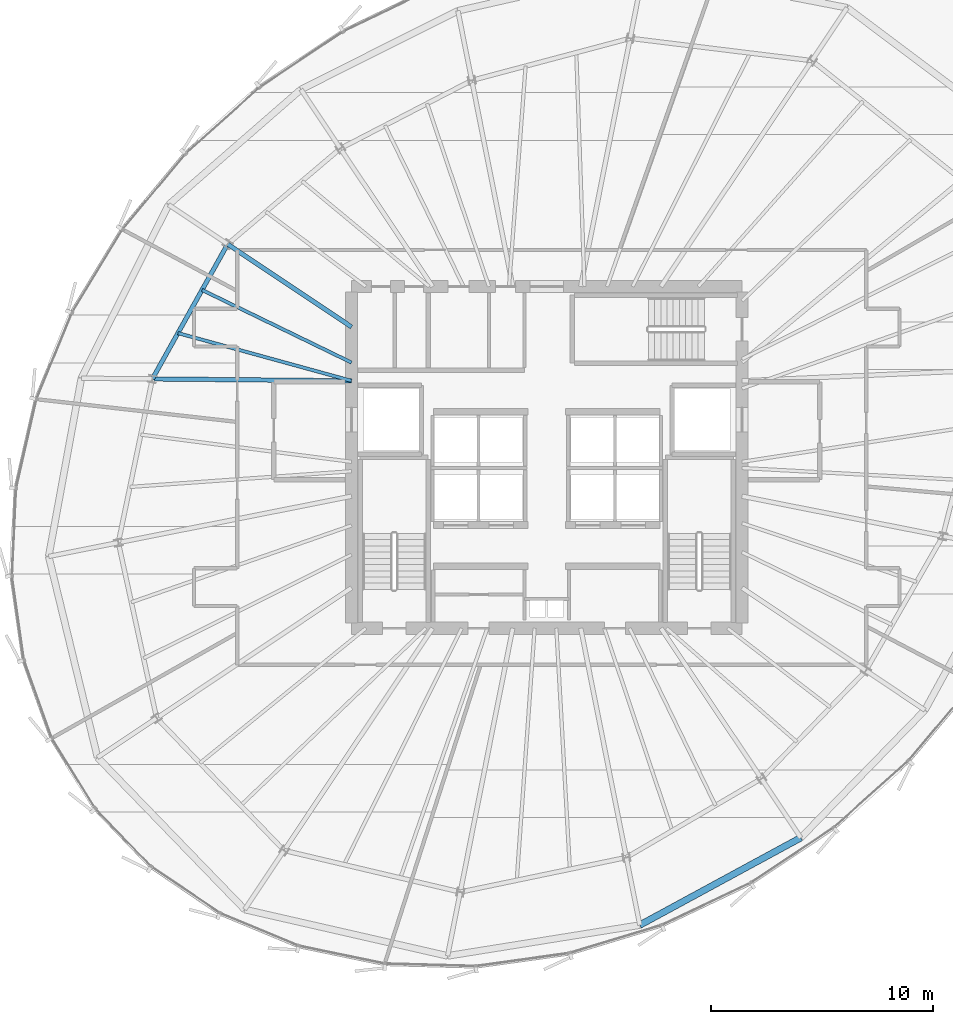
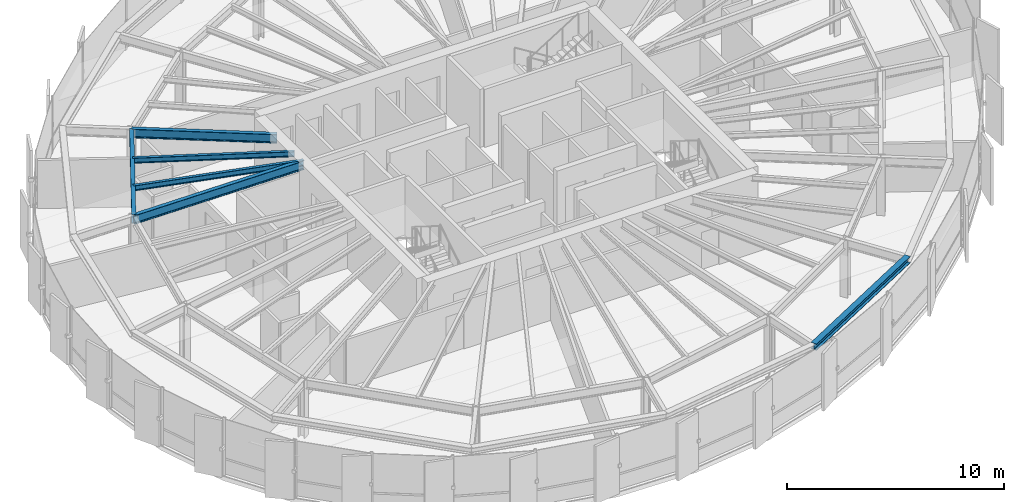
# One storey, part 12 of 34: 6 beams.
"""IFC4 building model written with IfcOpenShell, lengths in metres."""

from ifc_helpers import new_model, si_unit, direction, frame, origin, origin_2d, place, context, subcontext, project, spatial, i_section, extrude, source, transform, mapped, material, material_profile, profile_set, type_object, element, save


model = new_model("IFC4")

# Units and contexts
model_context = context("Model", 3, precision=1e-05, world=origin(), true_north=direction((0.0, 1.0)))
body_context = subcontext(model_context, "Body", "Model", "MODEL_VIEW")
ifc_project = project(units=[si_unit("LENGTHUNIT", "METRE"), si_unit("AREAUNIT", "SQUARE_METRE"), si_unit("VOLUMEUNIT", "CUBIC_METRE"), si_unit("PLANEANGLEUNIT", "RADIAN"), si_unit("MASSUNIT", "GRAM", prefix="KILO"), si_unit("THERMODYNAMICTEMPERATUREUNIT", "KELVIN")], contexts=[model_context])

# Site, building, storey
site_placement = place(None, origin())
site = spatial("IfcSite", under=ifc_project, at=site_placement, CompositionType="ELEMENT")
building_placement = place(site_placement, origin())
building = spatial("IfcBuilding", under=site, at=building_placement, Name="Kethvar Cultural Tower", CompositionType="ELEMENT")
storey_placement = place(building_placement, frame((0.0, 0.0, 186.89990234375)))
storey = spatial("IfcBuildingStorey", under=building, at=storey_placement, Name="L48", CompositionType="ELEMENT", Elevation=186.89990234375)

# Beams
ifc_material = material(Name="Steel S355J2", Category="steel")
ifc_material_profile_1 = material_profile(ifc_material, i_section(OverallWidth=0.199951171875, OverallDepth=0.5, WebThickness=0.01025390625, FlangeThickness=0.01611328125, FilletRadius=0.02099609375, at=origin_2d()), Name="Steel S355J2 — IPE500")
ifc_profile_set_1 = profile_set([ifc_material_profile_1], Name="Steel S355J2 — IPE500")
beam_type_1 = type_object("IfcBeamType", Name="BM-IPE500", PredefinedType="BEAM", material=ifc_profile_set_1)
shared_shape_1 = source(origin(), body_context, "Body", "SweptSolid", [
    extrude(i_section(OverallWidth=0.199951171875, OverallDepth=0.5, WebThickness=0.01025390625, FlangeThickness=0.01611328125, FilletRadius=0.02099609375, at=origin_2d()), origin(), (0.0, 0.0, 1.0), 6.713134765625),
])
beam_1_placement = place(storey_placement, frame((38.0, 33.679931640625, 3.008056640625), z_axis=(-0.831479157792, 0.55555594692, 0.0), x_axis=(-0.55555594692, -0.831479157792, 0.0)))
element("IfcBeam", 1, at=beam_1_placement, inside=storey, type_object=beam_type_1, Name="L48 Primary Radial Beam RB-07", PredefinedType="BEAM", context=body_context, shape_type="MappedRepresentation", body=[
    mapped(shared_shape_1, transform((0.0, 0.0, 0.0), scale=1.0)),
])
shared_shape_2 = source(origin(), body_context, "Body", "SweptSolid", [
    extrude(i_section(OverallWidth=0.199951171875, OverallDepth=0.5, WebThickness=0.01025390625, FlangeThickness=0.01611328125, FilletRadius=0.02099609375, at=origin_2d()), origin(), (0.0, 0.0, 1.0), 8.9755859375),
])
beam_2_placement = place(storey_placement, frame((38.0, 31.25, 3.008056640625), z_axis=(-0.999954421893, 0.00954746755, 0.0), x_axis=(-0.00954746755, -0.999954421893, 0.0)))
element("IfcBeam", 2, at=beam_2_placement, inside=storey, type_object=beam_type_1, Name="L48 Primary Radial Beam RB-08", PredefinedType="BEAM", context=body_context, shape_type="MappedRepresentation", body=[
    mapped(shared_shape_2, transform((0.0, 0.0, 0.0), scale=1.0)),
])
shared_shape_3 = source(origin(), body_context, "Body", "SweptSolid", [
    extrude(i_section(OverallWidth=0.199951171875, OverallDepth=0.5, WebThickness=0.01025390625, FlangeThickness=0.01611328125, FilletRadius=0.02099609375, at=origin_2d()), origin(), (0.0, 0.0, 1.0), 6.957275390625),
])
beam_3_placement = place(storey_placement, frame((32.418212890625, 37.409423828125, 3.008056640625), z_axis=(-0.487730122968, -0.872994459976, 0.0), x_axis=(0.872994459976, -0.487730122968, 0.0)))
element("IfcBeam", 3, at=beam_3_placement, inside=storey, type_object=beam_type_1, Name="L48 Column Ring Tie Beam CR-07", PredefinedType="BEAM", context=body_context, shape_type="MappedRepresentation", body=[
    mapped(shared_shape_3, transform((0.0, 0.0, 0.0), scale=1.0)),
])
ifc_material_profile_2 = material_profile(ifc_material, i_section(OverallWidth=0.14990234375, OverallDepth=0.300048828125, WebThickness=0.007080078125, FlangeThickness=0.0107421875, FilletRadius=0.014892578125, at=origin_2d()), Name="Steel S355J2 — IPE300")
ifc_profile_set_2 = profile_set([ifc_material_profile_2], Name="Steel S355J2 — IPE300")
beam_type_2 = type_object("IfcBeamType", Name="BM-J300", PredefinedType="JOIST", material=ifc_profile_set_2)
shared_shape_4 = source(origin(), body_context, "Body", "SweptSolid", [
    extrude(i_section(OverallWidth=0.14990234375, OverallDepth=0.300048828125, WebThickness=0.007080078125, FlangeThickness=0.0107421875, FilletRadius=0.014892578125, at=origin_2d()), origin(), (0.0, 0.0, 1.0), 7.48779296875),
])
beam_4_placement = place(storey_placement, frame((38.0, 32.073486328125, 3.108154296875), z_axis=(-0.8995385432, 0.436841400623, 0.0), x_axis=(-0.436841400623, -0.8995385432, 0.0)))
element("IfcBeam", 4, at=beam_4_placement, inside=storey, type_object=beam_type_2, Name="L48 Composite Floor Joist J-07A", PredefinedType="JOIST", context=body_context, shape_type="MappedRepresentation", body=[
    mapped(shared_shape_4, transform((0.0, 0.0, 0.0), scale=1.0)),
])
shared_shape_5 = source(origin(), body_context, "Body", "SweptSolid", [
    extrude(i_section(OverallWidth=0.14990234375, OverallDepth=0.300048828125, WebThickness=0.007080078125, FlangeThickness=0.0107421875, FilletRadius=0.014892578125, at=origin_2d()), origin(), (0.0, 0.0, 1.0), 8.111572265625),
])
beam_5_placement = place(storey_placement, frame((38.0, 31.25, 3.108154296875), z_axis=(-0.96420462331, 0.265159281164, 0.0), x_axis=(-0.265159281164, -0.96420462331, 0.0)))
element("IfcBeam", 5, at=beam_5_placement, inside=storey, type_object=beam_type_2, Name="L48 Composite Floor Joist J-07B", PredefinedType="JOIST", context=body_context, shape_type="MappedRepresentation", body=[
    mapped(shared_shape_5, transform((0.0, 0.0, 0.0), scale=1.0)),
])
ifc_material_profile_3 = material_profile(ifc_material, i_section(OverallWidth=0.300048828125, OverallDepth=0.360107421875, WebThickness=0.012451171875, FlangeThickness=0.0224609375, FilletRadius=0.027099609375, at=origin_2d()), Name="Steel S355J2 — HEB360")
ifc_profile_set_3 = profile_set([ifc_material_profile_3], Name="Steel S355J2 — HEB360")
beam_type_3 = type_object("IfcBeamType", Name="BM-SP360", PredefinedType="SPANDREL", material=ifc_profile_set_3)
shared_shape_6 = source(origin(), body_context, "Body", "SweptSolid", [
    extrude(i_section(OverallWidth=0.300048828125, OverallDepth=0.360107421875, WebThickness=0.012451171875, FlangeThickness=0.0224609375, FilletRadius=0.027099609375, at=origin_2d()), origin(), (0.0, 0.0, 1.0), 8.259521484375),
])
beam_6_placement = place(storey_placement, frame((50.992919921875, 6.720703125, 3.078125), z_axis=(0.878926013475, 0.476958135309, 0.0), x_axis=(-0.476958135309, 0.878926013475, 0.0)))
element("IfcBeam", 6, at=beam_6_placement, inside=storey, type_object=beam_type_3, Name="L48 Perimeter Spandrel Beam SP-13", PredefinedType="SPANDREL", context=body_context, shape_type="MappedRepresentation", body=[
    mapped(shared_shape_6, transform((0.0, 0.0, 0.0), scale=1.0)),
])

save(model, "model.ifc")
